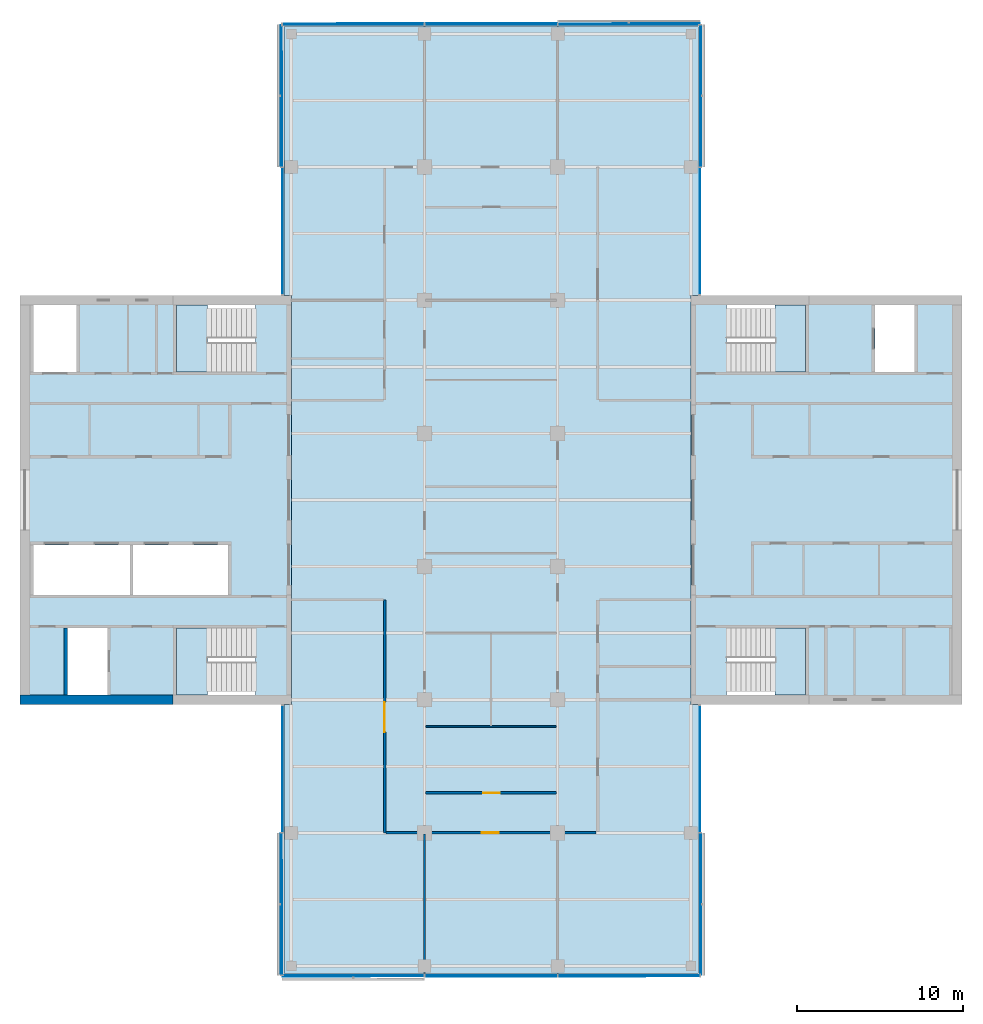
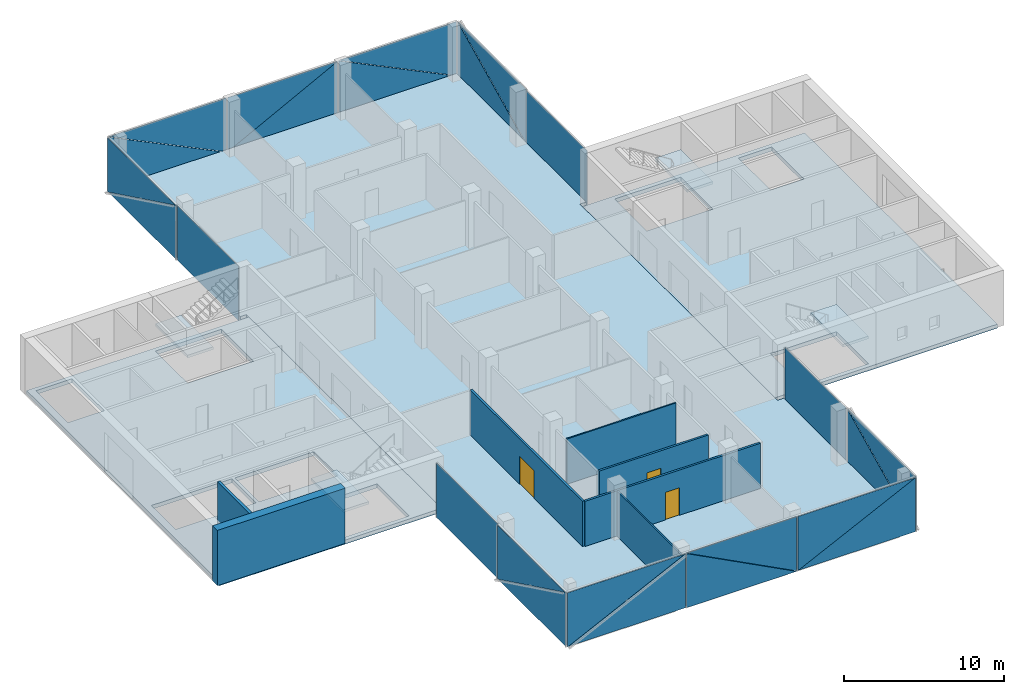
# One storey, part 8 of 15: 24 plates, 7 slabs, 7 walls, 3 doors, 3 openings, 14 elements without a shape of their own.
"""IFC4 building model written with IfcOpenShell, lengths in metres."""

from ifc_helpers import new_model, si_unit, direction, frame, frame_2d, origin, place, context, subcontext, project, spatial, polyline, rectangle, outline, extrude, material, layer, layer_set, constituent, constituent_set, type_object, element, fill, aggregate, save


model = new_model("IFC4")

# Units and contexts
model_context = context("Model", 3, precision=1e-05, world=origin(), true_north=direction((0.0, 1.0)))
body_context = subcontext(model_context, "Body", "Model", "MODEL_VIEW")
ifc_project = project(units=[si_unit("LENGTHUNIT", "METRE"), si_unit("AREAUNIT", "SQUARE_METRE"), si_unit("VOLUMEUNIT", "CUBIC_METRE"), si_unit("PLANEANGLEUNIT", "RADIAN"), si_unit("MASSUNIT", "GRAM", prefix="KILO")], contexts=[model_context])

# Site, building, storey
site_placement = place(None, origin())
site = spatial("IfcSite", under=ifc_project, at=site_placement, CompositionType="ELEMENT")
building_placement = place(site_placement, origin())
building = spatial("IfcBuilding", under=site, at=building_placement, Name="Crosswind Convention Tower", CompositionType="ELEMENT")
storey_placement = place(building_placement, frame((0.0, 0.0, 187.300048828125)))
storey = spatial("IfcBuildingStorey", under=building, at=storey_placement, Name="L39", CompositionType="ELEMENT", Elevation=187.300048828125)

# Slabs
ifc_material_1 = material(Name="Concrete C40/50", Category="concrete")
ifc_layer_1 = layer(ifc_material_1, 0.300048828125)
ifc_layer_set_1 = layer_set([ifc_layer_1], Name="Concrete C40/50")
slab_type_1 = type_object("IfcSlabType", Name="Composite floor slab 300", PredefinedType="FLOOR", material=ifc_layer_set_1)
slab_1_placement = place(storey_placement, frame((0.0, 0.0, -0.300048828125)))
element("IfcSlab", 1, at=slab_1_placement, inside=storey, type_object=slab_type_1, Name="Floor slab L39", PredefinedType="FLOOR", context=body_context, shape_type="SweptSolid", body=[
    extrude(outline(polyline([(137.449951171875, 71.550048828125), (137.0, 71.550048828125), (113.0, 71.550048828125), (112.550048828125, 71.550048828125), (112.550048828125, 72.0), (112.550048828125, 87.699951171875), (113.0, 87.699951171875), (113.0, 112.300048828125), (112.550048828125, 112.300048828125), (112.550048828125, 128.0), (112.550048828125, 128.449951171875), (113.0, 128.449951171875), (137.0, 128.449951171875), (137.449951171875, 128.449951171875), (137.449951171875, 128.0), (137.449951171875, 112.300048828125), (137.0, 112.300048828125), (137.0, 87.699951171875), (137.449951171875, 87.699951171875), (137.449951171875, 72.0), (137.449951171875, 71.550048828125)])), origin(), (0.0, 0.0, 1.0), 0.300048828125),
])
ifc_layer_2 = layer(ifc_material_1, 0.300048828125)
ifc_layer_set_2 = layer_set([ifc_layer_2], Name="Concrete C40/50")
slab_type_2 = type_object("IfcSlabType", Name="Concrete core floor slab 300", PredefinedType="FLOOR", material=ifc_layer_set_2)
slab_2_placement = place(storey_placement, frame((0.0, 0.0, -0.300048828125)))
element("IfcSlab", 2, at=slab_2_placement, inside=storey, type_object=slab_type_2, Name="Core floor slab E L39", PredefinedType="FLOOR", context=body_context, shape_type="SweptSolid", body=[
    extrude(outline(polyline([(137.0, 88.0), (153.0, 88.0), (153.0, 112.0), (137.0, 112.0), (137.0, 88.0)]), holes=[polyline([(150.449951171875, 107.699951171875), (150.449951171875, 111.699951171875), (148.050048828125, 111.699951171875), (148.050048828125, 107.699951171875), (150.449951171875, 107.699951171875)]), polyline([(143.89990234375, 107.699951171875), (143.89990234375, 111.699951171875), (139.14990234375, 111.699951171875), (139.14990234375, 107.699951171875), (143.89990234375, 107.699951171875)]), polyline([(143.89990234375, 88.300048828125), (143.89990234375, 92.300048828125), (139.14990234375, 92.300048828125), (139.14990234375, 88.300048828125), (143.89990234375, 88.300048828125)])]), origin(), (0.0, 0.0, 1.0), 0.300048828125),
])
slab_3_placement = place(storey_placement, frame((0.0, 0.0, -0.300048828125)))
element("IfcSlab", 3, at=slab_3_placement, inside=storey, type_object=slab_type_2, Name="Core floor slab W L39", PredefinedType="FLOOR", context=body_context, shape_type="SweptSolid", body=[
    extrude(outline(polyline([(97.0, 88.0), (113.0, 88.0), (113.0, 112.0), (97.0, 112.0), (97.0, 88.0)]), holes=[polyline([(109.199951171875, 94.300048828125), (109.199951171875, 97.300048828125), (103.5, 97.300048828125), (103.5, 94.300048828125), (109.199951171875, 94.300048828125)]), polyline([(103.300048828125, 94.300048828125), (103.300048828125, 97.300048828125), (97.5, 97.300048828125), (97.5, 94.300048828125), (103.300048828125, 94.300048828125)]), polyline([(101.949951171875, 88.300048828125), (101.949951171875, 92.300048828125), (99.550048828125, 92.300048828125), (99.550048828125, 88.300048828125), (101.949951171875, 88.300048828125)]), polyline([(100.10009765625, 107.699951171875), (100.10009765625, 111.699951171875), (97.5, 111.699951171875), (97.5, 107.699951171875), (100.10009765625, 107.699951171875)]), polyline([(110.85009765625, 88.300048828125), (110.85009765625, 92.300048828125), (106.10009765625, 92.300048828125), (106.10009765625, 88.300048828125), (110.85009765625, 88.300048828125)]), polyline([(110.85009765625, 107.699951171875), (110.85009765625, 111.699951171875), (106.10009765625, 111.699951171875), (106.10009765625, 107.699951171875), (110.85009765625, 107.699951171875)])]), origin(), (0.0, 0.0, 1.0), 0.300048828125),
])

# Stair, slab
stair_type = type_object("IfcStairType", Name="Exit stair 1800 wide, 2 flights of 11 risers", PredefinedType="HALF_TURN_STAIR", material=ifc_material_1)
stair_1_placement = place(storey_placement, origin())
stair_1 = element("IfcStair", 4, at=stair_1_placement, inside=storey, type_object=stair_type, Name="Exit stair ST1 L39", ObjectType="ST5", PredefinedType="HALF_TURN_STAIR")
ifc_layer_3 = layer(ifc_material_1, 0.199951171875)
ifc_layer_set_3 = layer_set([ifc_layer_3], Name="Concrete C40/50")
slab_type_3 = type_object("IfcSlabType", Name="Stair landing 200", PredefinedType="LANDING", material=ifc_layer_set_3)
slab_4_placement = place(storey_placement, frame((0.0, 0.0, 1.89990234375)))
slab_4 = element("IfcSlab", 5, at=slab_4_placement, type_object=slab_type_3, Name="ST1 landing 1", PredefinedType="LANDING", context=body_context, shape_type="SweptSolid", body=[
    extrude(outline(polyline([(143.89990234375, 107.699951171875), (143.89990234375, 111.699951171875), (142.050048828125, 111.699951171875), (142.050048828125, 107.699951171875), (143.89990234375, 107.699951171875)])), origin(), (0.0, 0.0, 1.0), 0.199951171875),
])
aggregate(stair_1, [slab_4])

stair_2_placement = place(storey_placement, origin())
stair_2 = element("IfcStair", 6, at=stair_2_placement, inside=storey, type_object=stair_type, Name="Exit stair ST2 L39", ObjectType="ST5", PredefinedType="HALF_TURN_STAIR")
slab_5_placement = place(storey_placement, frame((0.0, 0.0, 1.89990234375)))
slab_5 = element("IfcSlab", 7, at=slab_5_placement, type_object=slab_type_3, Name="ST2 landing 1", PredefinedType="LANDING", context=body_context, shape_type="SweptSolid", body=[
    extrude(outline(polyline([(143.89990234375, 88.300048828125), (143.89990234375, 92.300048828125), (142.050048828125, 92.300048828125), (142.050048828125, 88.300048828125), (143.89990234375, 88.300048828125)])), origin(), (0.0, 0.0, 1.0), 0.199951171875),
])
aggregate(stair_2, [slab_5])

stair_3_placement = place(storey_placement, origin())
stair_3 = element("IfcStair", 8, at=stair_3_placement, inside=storey, type_object=stair_type, Name="Exit stair ST3 L39", ObjectType="ST5", PredefinedType="HALF_TURN_STAIR")
slab_6_placement = place(storey_placement, frame((0.0, 0.0, 1.89990234375)))
slab_6 = element("IfcSlab", 9, at=slab_6_placement, type_object=slab_type_3, Name="ST3 landing 1", PredefinedType="LANDING", context=body_context, shape_type="SweptSolid", body=[
    extrude(outline(polyline([(107.949951171875, 88.300048828125), (107.949951171875, 92.300048828125), (106.10009765625, 92.300048828125), (106.10009765625, 88.300048828125), (107.949951171875, 88.300048828125)])), origin(), (0.0, 0.0, 1.0), 0.199951171875),
])
aggregate(stair_3, [slab_6])

stair_4_placement = place(storey_placement, origin())
stair_4 = element("IfcStair", 10, at=stair_4_placement, inside=storey, type_object=stair_type, Name="Exit stair ST4 L39", ObjectType="ST5", PredefinedType="HALF_TURN_STAIR")
slab_7_placement = place(storey_placement, frame((0.0, 0.0, 1.89990234375)))
slab_7 = element("IfcSlab", 11, at=slab_7_placement, type_object=slab_type_3, Name="ST4 landing 1", PredefinedType="LANDING", context=body_context, shape_type="SweptSolid", body=[
    extrude(outline(polyline([(107.949951171875, 107.699951171875), (107.949951171875, 111.699951171875), (106.10009765625, 111.699951171875), (106.10009765625, 107.699951171875), (107.949951171875, 107.699951171875)])), origin(), (0.0, 0.0, 1.0), 0.199951171875),
])
aggregate(stair_4, [slab_7])

# Curtain wall, plate
ifc_material_2 = material(Name="Aluminium unitised curtain wall", Category="aluminium")
curtain_wall_type_1 = type_object("IfcCurtainWallType", Name="CORE END SLOT WALL 160", PredefinedType="USERDEFINED", material=ifc_material_2)
curtain_wall_1_placement = place(storey_placement, origin())
curtain_wall_1 = element("IfcCurtainWall", 12, at=curtain_wall_1_placement, inside=storey, type_object=curtain_wall_type_1, Name="CW6 L39 N-E.1-1 slot", ObjectType="UNITISED", PredefinedType="USERDEFINED")
ifc_material_3 = material(Name="Laminated insulating glass unit", Category="glass")
ifc_layer_4 = layer(ifc_material_3, 0.02587890625)
ifc_layer_set_4 = layer_set([ifc_layer_4], Name="TRIANGULAR GLASS PANEL 26")
plate_type_1 = type_object("IfcPlateType", Name="TRIANGULAR GLASS PANEL 26", PredefinedType="CURTAIN_PANEL", material=ifc_layer_set_4)
plate_1_placement = place(storey_placement, frame((137.556884765625, 112.35009765625, -0.300048828125), z_axis=(0.999999915205, 0.0, 0.00041181312), x_axis=(0.0, 1.0, 0.0)))
plate_1 = element("IfcPlate", 13, at=plate_1_placement, type_object=plate_type_1, Name="CW6 panel 1.1", PredefinedType="CURTAIN_PANEL", context=body_context, shape_type="SweptSolid", body=[
    extrude(outline(polyline([(0.0, 0.0), (7.599853515625, 0.0), (7.599853515625, 4.149902695641109), (0.0, 4.149902695641109), (0.0, 0.0)])), origin(), (0.0, 0.0, -1.0), 0.02587890625),
])
aggregate(curtain_wall_1, [plate_1])

curtain_wall_2_placement = place(storey_placement, origin())
curtain_wall_2 = element("IfcCurtainWall", 14, at=curtain_wall_2_placement, inside=storey, type_object=curtain_wall_type_1, Name="CW6 L39 N-W.1-2 slot", ObjectType="UNITISED", PredefinedType="USERDEFINED")
plate_2_placement = place(storey_placement, frame((112.443115234375, 119.949951171875, -0.300048828125), z_axis=(-0.999999915205, 0.0, 0.00041181312), x_axis=(0.0, -1.0, 0.0)))
plate_2 = element("IfcPlate", 15, at=plate_2_placement, type_object=plate_type_1, Name="CW6 panel 1.1", PredefinedType="CURTAIN_PANEL", context=body_context, shape_type="SweptSolid", body=[
    extrude(outline(polyline([(0.0, 0.0), (7.599853515625, 0.0), (7.599853515625, 4.149902695641109), (0.0, 4.149902695641109), (0.0, 0.0)])), origin(), (0.0, 0.0, -1.0), 0.02587890625),
])
aggregate(curtain_wall_2, [plate_2])

curtain_wall_3_placement = place(storey_placement, origin())
curtain_wall_3 = element("IfcCurtainWall", 16, at=curtain_wall_3_placement, inside=storey, type_object=curtain_wall_type_1, Name="CW6 L39 S-W.1-1 slot", ObjectType="UNITISED", PredefinedType="USERDEFINED")
plate_3_placement = place(storey_placement, frame((112.443115234375, 87.64990234375, -0.300048828125), z_axis=(-0.999999915205, 0.0, 0.00041181312), x_axis=(0.0, -1.0, 0.0)))
plate_3 = element("IfcPlate", 17, at=plate_3_placement, type_object=plate_type_1, Name="CW6 panel 1.1", PredefinedType="CURTAIN_PANEL", context=body_context, shape_type="SweptSolid", body=[
    extrude(outline(polyline([(0.0, 0.0), (7.599853515625, 0.0), (7.599853515625, 4.149902695641109), (0.0, 4.149902695641109), (0.0, 0.0)])), origin(), (0.0, 0.0, -1.0), 0.02587890625),
])
aggregate(curtain_wall_3, [plate_3])

curtain_wall_4_placement = place(storey_placement, origin())
curtain_wall_4 = element("IfcCurtainWall", 18, at=curtain_wall_4_placement, inside=storey, type_object=curtain_wall_type_1, Name="CW6 L39 S-E.1-2 slot", ObjectType="UNITISED", PredefinedType="USERDEFINED")
plate_4_placement = place(storey_placement, frame((137.556884765625, 80.050048828125, -0.300048828125), z_axis=(0.999999915205, 0.0, 0.00041181312), x_axis=(0.0, 1.0, 0.0)))
plate_4 = element("IfcPlate", 19, at=plate_4_placement, type_object=plate_type_1, Name="CW6 panel 1.1", PredefinedType="CURTAIN_PANEL", context=body_context, shape_type="SweptSolid", body=[
    extrude(outline(polyline([(0.0, 0.0), (7.599853515625, 0.0), (7.599853515625, 4.149902695641109), (0.0, 4.149902695641109), (0.0, 0.0)])), origin(), (0.0, 0.0, -1.0), 0.02587890625),
])
aggregate(curtain_wall_4, [plate_4])

# Curtain wall, plates
curtain_wall_type_2 = type_object("IfcCurtainWallType", Name="OFFICE UNITISED WALL 220", PredefinedType="USERDEFINED", material=ifc_material_2)
curtain_wall_5_placement = place(storey_placement, origin())
curtain_wall_5 = element("IfcCurtainWall", 20, at=curtain_wall_5_placement, inside=storey, type_object=curtain_wall_type_2, Name="CW3 L39 N-E 1", ObjectType="UNITISED", PredefinedType="USERDEFINED")
ifc_layer_5 = layer(ifc_material_3, 0.031982421875)
ifc_layer_set_5 = layer_set([ifc_layer_5], Name="TRIANGULAR GLASS PANEL 32")
plate_type_2 = type_object("IfcPlateType", Name="TRIANGULAR GLASS PANEL 32", PredefinedType="CURTAIN_PANEL", material=ifc_layer_set_5)
plate_5_placement = place(storey_placement, frame((137.5927734375, 128.52490234375, -0.300048828125), z_axis=(0.999999913924, 0.0, 0.000414913129), x_axis=(-0.000414913129, 0.0, 0.999999913924)))
plate_5 = element("IfcPlate", 21, at=plate_5_placement, type_object=plate_type_2, Name="CW3 panel 1.1", PredefinedType="CURTAIN_PANEL", context=body_context, shape_type="SweptSolid", body=[
    extrude(outline(polyline([(0.0, 0.0), (4.118896838915043, 0.0), (0.0, 8.467041015624998), (0.0, 0.0)])), origin(), (0.0, 0.0, -1.0), 0.031982421875),
])
plate_6_placement = place(storey_placement, frame((137.625244140625, 120.034912109375, 3.829833984375), z_axis=(0.999999936753, 0.0, 0.000355660914), x_axis=(0.000355660914, 0.0, -0.999999936753)))
plate_6 = element("IfcPlate", 22, at=plate_6_placement, type_object=plate_type_2, Name="CW3 panel 1.2", PredefinedType="CURTAIN_PANEL", context=body_context, shape_type="SweptSolid", body=[
    extrude(outline(polyline([(0.0, 0.0), (4.1186526042438425, 0.0), (0.0, 8.467285156250002), (0.0, 0.0)])), origin(), (0.0, 0.0, -1.0), 0.031982421875),
])
aggregate(curtain_wall_5, [plate_5, plate_6])

curtain_wall_6_placement = place(storey_placement, origin())
curtain_wall_6 = element("IfcCurtainWall", 23, at=curtain_wall_6_placement, inside=storey, type_object=curtain_wall_type_2, Name="CW3 L39 N-TIP 1", ObjectType="UNITISED", PredefinedType="USERDEFINED")
plate_7_placement = place(storey_placement, frame((129.034912109375, 128.5927734375, -0.300048828125), z_axis=(0.0, 0.999999913924, 0.000414913129), x_axis=(0.0, -0.000414913129, 0.999999913924)))
plate_7 = element("IfcPlate", 24, at=plate_7_placement, type_object=plate_type_2, Name="CW3 panel 1.1", PredefinedType="CURTAIN_PANEL", context=body_context, shape_type="SweptSolid", body=[
    extrude(outline(polyline([(0.0, 0.0), (4.118896838915043, 0.0), (0.0, 8.467285156249998), (0.0, 0.0)])), origin(), (0.0, 0.0, -1.0), 0.031982421875),
])
plate_8_placement = place(storey_placement, frame((137.52490234375, 128.625244140625, 3.829833984375), z_axis=(0.0, 0.999999936753, 0.000355660914), x_axis=(0.0, 0.000355660914, -0.999999936753)))
plate_8 = element("IfcPlate", 25, at=plate_8_placement, type_object=plate_type_2, Name="CW3 panel 1.2", PredefinedType="CURTAIN_PANEL", context=body_context, shape_type="SweptSolid", body=[
    extrude(outline(polyline([(0.0, 0.0), (4.1186526042438425, 0.0), (0.0, 8.467041015625), (0.0, 0.0)])), origin(), (0.0, 0.0, -1.0), 0.031982421875),
])
plate_9_placement = place(storey_placement, frame((121.034912109375, 128.591064453125, 3.829833984375), z_axis=(0.0, 0.999999913913, 0.000414937724), x_axis=(1.0, 0.0, 0.0)))
plate_9 = element("IfcPlate", 26, at=plate_9_placement, type_object=plate_type_2, Name="CW3 panel 2.1", PredefinedType="CURTAIN_PANEL", context=body_context, shape_type="SweptSolid", body=[
    extrude(outline(polyline([(0.0, 0.0), (7.908447265625, 0.0), (0.0, 4.118652698311059), (0.0, 0.0)])), origin(), (0.0, 0.0, -1.0), 0.031982421875),
])
plate_10_placement = place(storey_placement, frame((128.965087890625, 128.626708984375, -0.300048828125), z_axis=(0.0, 0.999999936753, 0.000355660914), x_axis=(-1.0, 0.0, 0.0)))
plate_10 = element("IfcPlate", 27, at=plate_10_placement, type_object=plate_type_2, Name="CW3 panel 2.2", PredefinedType="CURTAIN_PANEL", context=body_context, shape_type="SweptSolid", body=[
    extrude(outline(polyline([(0.0, 0.0), (7.908447265625, 0.0), (0.0, 4.118652604243842), (0.0, 0.0)])), origin(), (0.0, 0.0, -1.0), 0.031982421875),
])
plate_11_placement = place(storey_placement, frame((112.47509765625, 128.5927734375, -0.300048828125), z_axis=(0.0, 0.999999913924, 0.000414913129), x_axis=(0.0, -0.000414913129, 0.999999913924)))
plate_11 = element("IfcPlate", 28, at=plate_11_placement, type_object=plate_type_2, Name="CW3 panel 3.1", PredefinedType="CURTAIN_PANEL", context=body_context, shape_type="SweptSolid", body=[
    extrude(outline(polyline([(0.0, 0.0), (4.118896838915043, 0.0), (0.0, 8.467041015624998), (0.0, 0.0)])), origin(), (0.0, 0.0, -1.0), 0.031982421875),
])
plate_12_placement = place(storey_placement, frame((120.965087890625, 128.625244140625, 3.829833984375), z_axis=(0.0, 0.999999936753, 0.000355660914), x_axis=(0.0, 0.000355660914, -0.999999936753)))
plate_12 = element("IfcPlate", 29, at=plate_12_placement, type_object=plate_type_2, Name="CW3 panel 3.2", PredefinedType="CURTAIN_PANEL", context=body_context, shape_type="SweptSolid", body=[
    extrude(outline(polyline([(0.0, 0.0), (4.1186526042438425, 0.0), (0.0, 8.467285156250002), (0.0, 0.0)])), origin(), (0.0, 0.0, -1.0), 0.031982421875),
])
aggregate(curtain_wall_6, [plate_7, plate_8, plate_9, plate_10, plate_11, plate_12])

curtain_wall_7_placement = place(storey_placement, origin())
curtain_wall_7 = element("IfcCurtainWall", 30, at=curtain_wall_7_placement, inside=storey, type_object=curtain_wall_type_2, Name="CW3 L39 N-W 1", ObjectType="UNITISED", PredefinedType="USERDEFINED")
plate_13_placement = place(storey_placement, frame((112.4072265625, 120.034912109375, -0.300048828125), z_axis=(-0.999999913924, 0.0, 0.000414913129), x_axis=(0.000414913129, 0.0, 0.999999913924)))
plate_13 = element("IfcPlate", 31, at=plate_13_placement, type_object=plate_type_2, Name="CW3 panel 1.1", PredefinedType="CURTAIN_PANEL", context=body_context, shape_type="SweptSolid", body=[
    extrude(outline(polyline([(0.0, 0.0), (4.118896838915043, 0.0), (0.0, 8.467285156249998), (0.0, 0.0)])), origin(), (0.0, 0.0, -1.0), 0.031982421875),
])
plate_14_placement = place(storey_placement, frame((112.374755859375, 128.52490234375, 3.829833984375), z_axis=(-0.999999936753, 0.0, 0.000355660914), x_axis=(-0.000355660914, 0.0, -0.999999936753)))
plate_14 = element("IfcPlate", 32, at=plate_14_placement, type_object=plate_type_2, Name="CW3 panel 1.2", PredefinedType="CURTAIN_PANEL", context=body_context, shape_type="SweptSolid", body=[
    extrude(outline(polyline([(0.0, 0.0), (4.1186526042438425, 0.0), (0.0, 8.467041015625), (0.0, 0.0)])), origin(), (0.0, 0.0, -1.0), 0.031982421875),
])
aggregate(curtain_wall_7, [plate_13, plate_14])

curtain_wall_8_placement = place(storey_placement, origin())
curtain_wall_8 = element("IfcCurtainWall", 33, at=curtain_wall_8_placement, inside=storey, type_object=curtain_wall_type_2, Name="CW3 L39 S-W 1", ObjectType="UNITISED", PredefinedType="USERDEFINED")
plate_15_placement = place(storey_placement, frame((112.4072265625, 71.47509765625, -0.300048828125), z_axis=(-0.999999913924, 0.0, 0.000414913129), x_axis=(0.000414913129, 0.0, 0.999999913924)))
plate_15 = element("IfcPlate", 34, at=plate_15_placement, type_object=plate_type_2, Name="CW3 panel 1.1", PredefinedType="CURTAIN_PANEL", context=body_context, shape_type="SweptSolid", body=[
    extrude(outline(polyline([(0.0, 0.0), (4.118896838915043, 0.0), (0.0, 8.467041015624998), (0.0, 0.0)])), origin(), (0.0, 0.0, -1.0), 0.031982421875),
])
plate_16_placement = place(storey_placement, frame((112.374755859375, 79.965087890625, 3.829833984375), z_axis=(-0.999999936753, 0.0, 0.000355660914), x_axis=(-0.000355660914, 0.0, -0.999999936753)))
plate_16 = element("IfcPlate", 35, at=plate_16_placement, type_object=plate_type_2, Name="CW3 panel 1.2", PredefinedType="CURTAIN_PANEL", context=body_context, shape_type="SweptSolid", body=[
    extrude(outline(polyline([(0.0, 0.0), (4.1186526042438425, 0.0), (0.0, 8.467285156250002), (0.0, 0.0)])), origin(), (0.0, 0.0, -1.0), 0.031982421875),
])
aggregate(curtain_wall_8, [plate_15, plate_16])

curtain_wall_9_placement = place(storey_placement, origin())
curtain_wall_9 = element("IfcCurtainWall", 36, at=curtain_wall_9_placement, inside=storey, type_object=curtain_wall_type_2, Name="CW3 L39 S-TIP 1", ObjectType="UNITISED", PredefinedType="USERDEFINED")
plate_17_placement = place(storey_placement, frame((120.965087890625, 71.4072265625, -0.300048828125), z_axis=(0.0, -0.999999913924, 0.000414913129), x_axis=(0.0, 0.000414913129, 0.999999913924)))
plate_17 = element("IfcPlate", 37, at=plate_17_placement, type_object=plate_type_2, Name="CW3 panel 1.1", PredefinedType="CURTAIN_PANEL", context=body_context, shape_type="SweptSolid", body=[
    extrude(outline(polyline([(0.0, 0.0), (4.118896838915043, 0.0), (0.0, 8.467285156249998), (0.0, 0.0)])), origin(), (0.0, 0.0, -1.0), 0.031982421875),
])
plate_18_placement = place(storey_placement, frame((112.47509765625, 71.374755859375, 3.829833984375), z_axis=(0.0, -0.999999936753, 0.000355660914), x_axis=(0.0, -0.000355660914, -0.999999936753)))
plate_18 = element("IfcPlate", 38, at=plate_18_placement, type_object=plate_type_2, Name="CW3 panel 1.2", PredefinedType="CURTAIN_PANEL", context=body_context, shape_type="SweptSolid", body=[
    extrude(outline(polyline([(0.0, 0.0), (4.1186526042438425, 0.0), (0.0, 8.467041015625), (0.0, 0.0)])), origin(), (0.0, 0.0, -1.0), 0.031982421875),
])
plate_19_placement = place(storey_placement, frame((128.965087890625, 71.408935546875, 3.829833984375), z_axis=(0.0, -0.999999913913, 0.000414937724), x_axis=(-1.0, 0.0, 0.0)))
plate_19 = element("IfcPlate", 39, at=plate_19_placement, type_object=plate_type_2, Name="CW3 panel 2.1", PredefinedType="CURTAIN_PANEL", context=body_context, shape_type="SweptSolid", body=[
    extrude(outline(polyline([(0.0, 0.0), (7.908447265625, 0.0), (0.0, 4.118652698311059), (0.0, 0.0)])), origin(), (0.0, 0.0, -1.0), 0.031982421875),
])
plate_20_placement = place(storey_placement, frame((121.034912109375, 71.373291015625, -0.300048828125), z_axis=(0.0, -0.999999936753, 0.000355660914), x_axis=(1.0, 0.0, 0.0)))
plate_20 = element("IfcPlate", 40, at=plate_20_placement, type_object=plate_type_2, Name="CW3 panel 2.2", PredefinedType="CURTAIN_PANEL", context=body_context, shape_type="SweptSolid", body=[
    extrude(outline(polyline([(0.0, 0.0), (7.908447265625, 0.0), (0.0, 4.118652604243842), (0.0, 0.0)])), origin(), (0.0, 0.0, -1.0), 0.031982421875),
])
plate_21_placement = place(storey_placement, frame((137.52490234375, 71.4072265625, -0.300048828125), z_axis=(0.0, -0.999999913924, 0.000414913129), x_axis=(0.0, 0.000414913129, 0.999999913924)))
plate_21 = element("IfcPlate", 41, at=plate_21_placement, type_object=plate_type_2, Name="CW3 panel 3.1", PredefinedType="CURTAIN_PANEL", context=body_context, shape_type="SweptSolid", body=[
    extrude(outline(polyline([(0.0, 0.0), (4.118896838915043, 0.0), (0.0, 8.467041015624998), (0.0, 0.0)])), origin(), (0.0, 0.0, -1.0), 0.031982421875),
])
plate_22_placement = place(storey_placement, frame((129.034912109375, 71.374755859375, 3.829833984375), z_axis=(0.0, -0.999999936753, 0.000355660914), x_axis=(0.0, -0.000355660914, -0.999999936753)))
plate_22 = element("IfcPlate", 42, at=plate_22_placement, type_object=plate_type_2, Name="CW3 panel 3.2", PredefinedType="CURTAIN_PANEL", context=body_context, shape_type="SweptSolid", body=[
    extrude(outline(polyline([(0.0, 0.0), (4.1186526042438425, 0.0), (0.0, 8.467285156250002), (0.0, 0.0)])), origin(), (0.0, 0.0, -1.0), 0.031982421875),
])
aggregate(curtain_wall_9, [plate_17, plate_18, plate_19, plate_20, plate_21, plate_22])

curtain_wall_10_placement = place(storey_placement, origin())
curtain_wall_10 = element("IfcCurtainWall", 43, at=curtain_wall_10_placement, inside=storey, type_object=curtain_wall_type_2, Name="CW3 L39 S-E 1", ObjectType="UNITISED", PredefinedType="USERDEFINED")
plate_23_placement = place(storey_placement, frame((137.5927734375, 79.965087890625, -0.300048828125), z_axis=(0.999999913924, 0.0, 0.000414913129), x_axis=(-0.000414913129, 0.0, 0.999999913924)))
plate_23 = element("IfcPlate", 44, at=plate_23_placement, type_object=plate_type_2, Name="CW3 panel 1.1", PredefinedType="CURTAIN_PANEL", context=body_context, shape_type="SweptSolid", body=[
    extrude(outline(polyline([(0.0, 0.0), (4.118896838915043, 0.0), (0.0, 8.467285156249998), (0.0, 0.0)])), origin(), (0.0, 0.0, -1.0), 0.031982421875),
])
plate_24_placement = place(storey_placement, frame((137.625244140625, 71.47509765625, 3.829833984375), z_axis=(0.999999936753, 0.0, 0.000355660914), x_axis=(0.000355660914, 0.0, -0.999999936753)))
plate_24 = element("IfcPlate", 45, at=plate_24_placement, type_object=plate_type_2, Name="CW3 panel 1.2", PredefinedType="CURTAIN_PANEL", context=body_context, shape_type="SweptSolid", body=[
    extrude(outline(polyline([(0.0, 0.0), (4.1186526042438425, 0.0), (0.0, 8.467041015625), (0.0, 0.0)])), origin(), (0.0, 0.0, -1.0), 0.031982421875),
])
aggregate(curtain_wall_10, [plate_23, plate_24])

# Walls
ifc_material_4 = material(Name="Concrete C50/60", Category="concrete")
ifc_layer_6 = layer(ifc_material_4, 0.199951171875)
ifc_layer_set_6 = layer_set([ifc_layer_6], Name="Concrete C50/60")
wall_type_1 = type_object("IfcWallType", Name="Concrete shaft and stair wall 200", PredefinedType="SHEAR", material=ifc_layer_set_6)
wall_1_placement = place(storey_placement, frame((99.449951171875, 92.300048828125, 0.0), z_axis=(0.0, 0.0, 1.0), x_axis=(0.0, -1.0, 0.0)))
element("IfcWall", 46, at=wall_1_placement, inside=storey, type_object=wall_type_1, Name="Wall PFSE W L39", PredefinedType="SHEAR", context=body_context, shape_type="SweptSolid", body=[
    extrude(rectangle(XDim=4.0, YDim=0.199951171875, at=frame_2d((2.0, 0.0))), origin(), (0.0, 0.0, 1.0), 4.199951171875),
])
ifc_material_5 = material(Name="Plasterboard partition", Category="gypsum")
ifc_layer_7 = layer(ifc_material_5, 0.10009765625)
ifc_layer_set_7 = layer_set([ifc_layer_7], Name="PARTITION 100 METAL STUD")
wall_type_2 = type_object("IfcWallType", Name="PARTITION 100 METAL STUD", PredefinedType="PARTITIONING", material=ifc_layer_set_7)
wall_2_placement = place(storey_placement, frame((121.0, 71.6298828125, 0.0), z_axis=(0.0, 0.0, 1.0), x_axis=(0.0, 1.0, 0.0)))
element("IfcWall", 47, at=wall_2_placement, inside=storey, type_object=wall_type_2, Name="Partition wall WT40", PredefinedType="PARTITIONING", context=body_context, shape_type="SweptSolid", body=[
    extrude(rectangle(XDim=8.295166015625, YDim=0.10009765625, at=frame_2d((4.1474609375, 0.0))), origin(), (0.0, 0.0, 1.0), 3.439697265625),
])
wall_3_placement = place(storey_placement, frame((121.074951171875, 86.39990234375, 0.0), z_axis=(0.0, 0.0, 1.0), x_axis=(1.0, 0.0, 0.0)))
element("IfcWall", 48, at=wall_3_placement, inside=storey, type_object=wall_type_2, Name="Partition wall WT40", PredefinedType="PARTITIONING", context=body_context, shape_type="SweptSolid", body=[
    extrude(rectangle(XDim=7.85009765625, YDim=0.10009765625, at=frame_2d((3.925048828125, 0.0))), origin(), (0.0, 0.0, 1.0), 3.439697265625),
])

# Wall, opening, door
ifc_material_6 = material(Name="Fire-board partition with mineral wool", Category="gypsum")
ifc_layer_8 = layer(ifc_material_6, 0.14990234375)
ifc_layer_set_8 = layer_set([ifc_layer_8], Name="TENANCY WALL 150 TWO-HOUR BOARD")
wall_type_3 = type_object("IfcWallType", Name="TENANCY WALL 150 TWO-HOUR BOARD", PredefinedType="PARTITIONING", material=ifc_layer_set_8)
wall_4_placement = place(storey_placement, frame((118.60009765625, 80.0, 0.0), z_axis=(0.0, 0.0, 1.0), x_axis=(0.0, 1.0, 0.0)))
wall_4 = element("IfcWall", 49, at=wall_4_placement, inside=storey, type_object=wall_type_3, Name="Tenancy wall WT41", PredefinedType="PARTITIONING", context=body_context, shape_type="SweptSolid", body=[
    extrude(rectangle(XDim=14.0, YDim=0.14990234375, at=frame_2d((7.0, 0.0))), origin(), (0.0, 0.0, 1.0), 3.439697265625),
])
opening_1_placement = place(wall_4_placement, frame((6.050048828125, 0.0, 0.0)))
opening_1 = element("IfcOpeningElement", 50, at=opening_1_placement, cuts=wall_4, Name="Opening L39-57", PredefinedType="OPENING", context=body_context, shape_type="SweptSolid", body=[
    extrude(rectangle(XDim=1.800048828125, YDim=2.10009765625, at=frame_2d((0.89990234375, 1.050048828125))), frame((0.0, 0.0849609375, 0.0), z_axis=(0.0, -1.0, 0.0), x_axis=(1.0, 0.0, 0.0)), (0.0, 0.0, 1.0), 0.169921875),
])
ifc_material_7 = material(Name="Timber fire door", Category="wood")
door_type_1 = type_object("IfcDoorType", Name="TENANCY ENTRANCE DOUBLE DOOR 1800X2100 FD30S", OperationType="DOUBLE_DOOR_SINGLE_SWING", PredefinedType="DOOR", material=ifc_material_7)
door_1_placement = place(opening_1_placement, origin())
door_1 = element("IfcDoor", 51, at=door_1_placement, inside=storey, type_object=door_type_1, Name="Door L39-57", ObjectType="D42", OperationType="DOUBLE_DOOR_SINGLE_SWING", OverallHeight=2.10009765625, OverallWidth=1.800048828125, PredefinedType="DOOR", context=body_context, shape_type="SweptSolid", body=[
    extrude(rectangle(XDim=1.800048828125, YDim=2.10009765625, at=frame_2d((0.89990234375, 1.050048828125))), frame((0.0, 0.02490234375, 0.0), z_axis=(0.0, -1.0, 0.0), x_axis=(1.0, 0.0, 0.0)), (0.0, 0.0, 1.0), 0.050048828125),
])
fill(opening_1, door_1)

wall_5_placement = place(storey_placement, frame((118.675048828125, 80.0, 0.0), z_axis=(0.0, 0.0, 1.0), x_axis=(1.0, 0.0, 0.0)))
wall_5 = element("IfcWall", 52, at=wall_5_placement, inside=storey, type_object=wall_type_3, Name="Tenancy wall WT41", PredefinedType="PARTITIONING", context=body_context, shape_type="SweptSolid", body=[
    extrude(rectangle(XDim=12.625, YDim=0.14990234375, at=frame_2d((6.3125, 0.0))), origin(), (0.0, 0.0, 1.0), 3.439697265625),
])
opening_2_placement = place(wall_5_placement, frame((5.77490234375, 0.0, 0.0)))
opening_2 = element("IfcOpeningElement", 53, at=opening_2_placement, cuts=wall_5, Name="Opening L39-60", PredefinedType="OPENING", context=body_context, shape_type="SweptSolid", body=[
    extrude(rectangle(XDim=1.0, YDim=2.10009765625, at=frame_2d((0.5, 1.050048828125))), frame((0.0, 0.0849609375, 0.0), z_axis=(0.0, -1.0, 0.0), x_axis=(1.0, 0.0, 0.0)), (0.0, 0.0, 1.0), 0.169921875),
])
door_type_2 = type_object("IfcDoorType", Name="TENANCY ENTRANCE DOOR 1000X2100 FD30S", OperationType="NOTDEFINED", PredefinedType="DOOR", material=ifc_material_7)
door_2_placement = place(opening_2_placement, frame((1.0, 0.0, 0.0), z_axis=(0.0, 0.0, 1.0), x_axis=(-1.0, 0.0, 0.0)))
door_2 = element("IfcDoor", 54, at=door_2_placement, inside=storey, type_object=door_type_2, Name="Door L39-60", ObjectType="D41", OperationType="SINGLE_SWING_RIGHT", OverallHeight=2.10009765625, OverallWidth=1.0, PredefinedType="DOOR", context=body_context, shape_type="SweptSolid", body=[
    extrude(rectangle(XDim=1.0, YDim=2.10009765625, at=frame_2d((0.5, 1.050048828125))), frame((0.0, 0.02490234375, 0.0), z_axis=(0.0, -1.0, 0.0), x_axis=(1.0, 0.0, 0.0)), (0.0, 0.0, 1.0), 0.050048828125),
])
fill(opening_2, door_2)

wall_6_placement = place(storey_placement, frame((121.074951171875, 82.39990234375, 0.0), z_axis=(0.0, 0.0, 1.0), x_axis=(1.0, 0.0, 0.0)))
wall_6 = element("IfcWall", 55, at=wall_6_placement, inside=storey, type_object=wall_type_3, Name="Tenancy wall WT41", PredefinedType="PARTITIONING", context=body_context, shape_type="SweptSolid", body=[
    extrude(rectangle(XDim=7.85009765625, YDim=0.14990234375, at=frame_2d((3.925048828125, 0.0))), origin(), (0.0, 0.0, 1.0), 3.439697265625),
])
opening_3_placement = place(wall_6_placement, frame((3.449951171875, 0.0, 0.0)))
opening_3 = element("IfcOpeningElement", 56, at=opening_3_placement, cuts=wall_6, Name="Opening L39-61", PredefinedType="OPENING", context=body_context, shape_type="SweptSolid", body=[
    extrude(rectangle(XDim=1.0, YDim=2.10009765625, at=frame_2d((0.5, 1.050048828125))), frame((0.0, 0.0849609375, 0.0), z_axis=(0.0, -1.0, 0.0), x_axis=(1.0, 0.0, 0.0)), (0.0, 0.0, 1.0), 0.169921875),
])
door_3_placement = place(opening_3_placement, origin())
door_3 = element("IfcDoor", 57, at=door_3_placement, inside=storey, type_object=door_type_2, Name="Door L39-61", ObjectType="D41", OperationType="SINGLE_SWING_RIGHT", OverallHeight=2.10009765625, OverallWidth=1.0, PredefinedType="DOOR", context=body_context, shape_type="SweptSolid", body=[
    extrude(rectangle(XDim=1.0, YDim=2.10009765625, at=frame_2d((0.5, 1.050048828125))), frame((0.0, 0.02490234375, 0.0), z_axis=(0.0, -1.0, 0.0), x_axis=(1.0, 0.0, 0.0)), (0.0, 0.0, 1.0), 0.050048828125),
])
fill(opening_3, door_3)

# Wall
ifc_material_8 = material(Name="Concrete C60/75", Category="concrete")
ifc_constituent_1 = constituent(ifc_material_8, Name="Structure")
ifc_material_9 = material(Name="Terracotta rainscreen", Category="ceramic")
ifc_constituent_2 = constituent(ifc_material_9, Name="Facing")
ifc_constituent_set = constituent_set(constituents=[ifc_constituent_1, ifc_constituent_2], Name="Concrete C60/75, Terracotta rainscreen")
wall_type_4 = type_object("IfcWallType", Name="Terracotta rainscreen on concrete core wall 600", PredefinedType="SHEAR", material=ifc_constituent_set)
wall_7_placement = place(storey_placement, frame((105.89990234375, 88.0, 0.0), z_axis=(0.0, 0.0, 1.0), x_axis=(-1.0, 0.0, 0.0)))
element("IfcWall", 58, at=wall_7_placement, inside=storey, type_object=wall_type_4, Name="Wall N2 W L39", PredefinedType="SHEAR", context=body_context, shape_type="SweptSolid", body=[
    extrude(rectangle(XDim=9.199951171875, YDim=0.60009765625, at=frame_2d((4.60009765625, 0.0))), origin(), (0.0, 0.0, 1.0), 4.199951171875),
])

save(model, "model.ifc")
